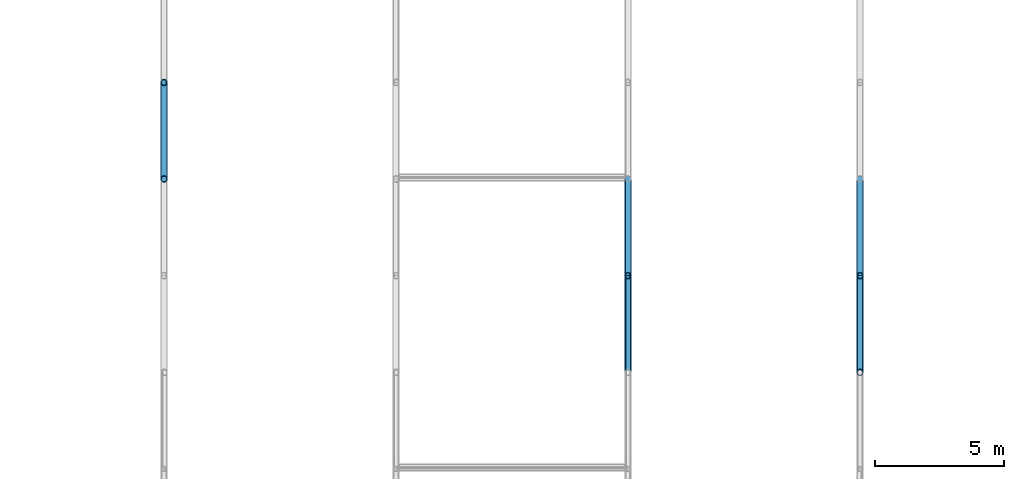
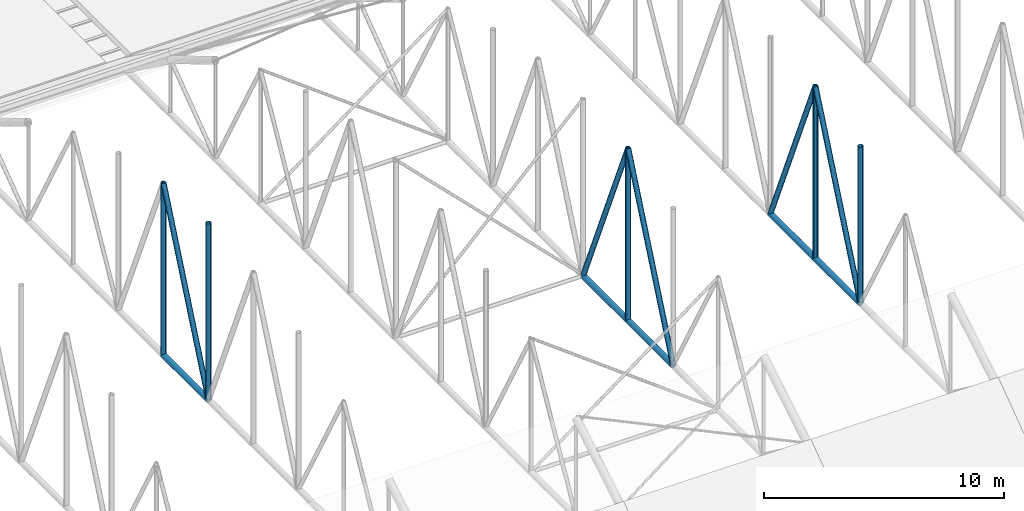
# One storey, part 54 of 153: 15 members.
"""IFC4 building model written with IfcOpenShell, lengths in metres."""

from ifc_helpers import new_model, si_unit, direction, frame, origin, origin_2d, place, context, subcontext, project, spatial, hollow_circle, extrude, material, material_profile, profile_set, type_object, element, save


model = new_model("IFC4")

# Units and contexts
model_context = context("Model", 3, precision=1e-05, world=origin(), true_north=direction((0.0, 1.0)))
body_context = subcontext(model_context, "Body", "Model", "MODEL_VIEW")
ifc_project = project(units=[si_unit("LENGTHUNIT", "METRE"), si_unit("AREAUNIT", "SQUARE_METRE"), si_unit("VOLUMEUNIT", "CUBIC_METRE"), si_unit("PLANEANGLEUNIT", "RADIAN"), si_unit("MASSUNIT", "GRAM", prefix="KILO")], contexts=[model_context])

# Site, building, storey
site_placement = place(None, origin())
site = spatial("IfcSite", under=ifc_project, at=site_placement, CompositionType="ELEMENT")
building_placement = place(site_placement, origin())
building = spatial("IfcBuilding", under=site, at=building_placement, Name="Baradari Gate Terminus", CompositionType="ELEMENT")
storey_placement = place(building_placement, frame((0.0, 0.0, 11.699951171875)))
storey = spatial("IfcBuildingStorey", under=building, at=storey_placement, Name="L02", CompositionType="ELEMENT", Elevation=11.699951171875)

# Members
ifc_material_1 = material(Name="Steel S355", Category="steel")
ifc_material_profile_1 = material_profile(ifc_material_1, hollow_circle(Radius=0.136474609375, WallThickness=0.012451171875, at=origin_2d()), Name="CHS 273x12.5")
ifc_profile_set_1 = profile_set([ifc_material_profile_1], Name="Steel S355")
member_type_1 = type_object("IfcMemberType", Name="Shed bottom chord CHS 273x12.5", PredefinedType="CHORD", material=ifc_profile_set_1)
for number, where, z_axis, x_axis, name in (
    (1, (171.0, 58.5, 0.136474609375), (0.0, 1.0, 0.0), (-1.0, 0.0, 0.0), "TR/L02/S171-BC06"),
    (2, (189.0, 51.0, 0.136474609375), (0.0, 1.0, 0.0), (-1.0, 0.0, 0.0), "TR/L02/S189-BC04"),
    (3, (189.0, 54.75, 0.136474609375), (0.0, 1.0, 0.0), (-1.0, 0.0, 0.0), "TR/L02/S189-BC05"),
    (4, (198.0, 51.0, 0.136474609375), (0.0, 1.0, 0.0), (-1.0, 0.0, 0.0), "TR/L02/S198-BC04"),
    (5, (198.0, 54.75, 0.136474609375), (0.0, 1.0, 0.0), (-1.0, 0.0, 0.0), "TR/L02/S198-BC05"),
):
    element("IfcMember", number, at=place(storey_placement, frame(where, z_axis=z_axis, x_axis=x_axis)), inside=storey, type_object=member_type_1, Name=name, PredefinedType="CHORD", context=body_context, shape_type="SweptSolid", body=[
        extrude(hollow_circle(Radius=0.136474609375, WallThickness=0.012451171875, at=origin_2d()), origin(), (0.0, 0.0, 1.0), 3.75),
    ])
ifc_material_2 = material(Name="Steel S355", Category="steel")
ifc_material_profile_2 = material_profile(ifc_material_2, hollow_circle(Radius=0.122314453125, WallThickness=0.010009765625, at=origin_2d()), Name="CHS 244.5x10")
ifc_profile_set_2 = profile_set([ifc_material_profile_2], Name="Steel S355")
member_type_2 = type_object("IfcMemberType", Name="Shed truss diagonal CHS 244.5x10", PredefinedType="BRACE", material=ifc_profile_set_2)
for number, where, z_axis, x_axis, name in (
    (6, (171.0, 62.25, 8.886474609375), (0.0, -0.393919298579, -0.919145030018), (1.0, 0.0, 0.0), "TR/L02/S171-SD06"),
    (7, (189.0, 54.75, 8.886474609375), (0.0, -0.393919298579, -0.919145030018), (1.0, 0.0, 0.0), "TR/L02/S189-SD04"),
    (8, (189.0, 54.75, 8.886474609375), (0.0, 0.393919298579, -0.919145030018), (-1.0, 0.0, 0.0), "TR/L02/S189-SD05"),
    (9, (198.0, 54.75, 8.886474609375), (0.0, -0.393919298579, -0.919145030018), (1.0, 0.0, 0.0), "TR/L02/S198-SD04"),
    (10, (198.0, 54.75, 8.886474609375), (0.0, 0.393919298579, -0.919145030018), (-1.0, 0.0, 0.0), "TR/L02/S198-SD05"),
):
    element("IfcMember", number, at=place(storey_placement, frame(where, z_axis=z_axis, x_axis=x_axis)), inside=storey, type_object=member_type_2, Name=name, PredefinedType="BRACE", context=body_context, shape_type="SweptSolid", body=[
        extrude(hollow_circle(Radius=0.122314453125, WallThickness=0.010009765625, at=origin_2d()), origin(), (0.0, 0.0, 1.0), 9.519775390625),
    ])
ifc_material_3 = material(Name="Steel S355", Category="steel")
ifc_material_profile_3 = material_profile(ifc_material_3, hollow_circle(Radius=0.122314453125, WallThickness=0.010009765625, at=origin_2d()), Name="CHS 244.5x10")
ifc_profile_set_3 = profile_set([ifc_material_profile_3], Name="Steel S355")
member_type_3 = type_object("IfcMemberType", Name="Shed truss post CHS 244.5x10", PredefinedType="POST", material=ifc_profile_set_3)
member_1_placement = place(storey_placement, frame((171.0, 58.5, 0.136474609375), z_axis=(0.0, 0.0, 1.0), x_axis=(1.0, 0.0, 0.0)))
element("IfcMember", 11, at=member_1_placement, inside=storey, type_object=member_type_3, Name="TR/L02/S171-SP06", PredefinedType="POST", context=body_context, shape_type="SweptSolid", body=[
    extrude(hollow_circle(Radius=0.122314453125, WallThickness=0.010009765625, at=origin_2d()), origin(), (0.0, 0.0, 1.0), 9.0),
])
for number, where, z_axis, x_axis, name in (
    (12, (171.0, 62.25, 0.136474609375), (0.0, 0.0, 1.0), (1.0, 0.0, 0.0), "TR/L02/S171-SP07"),
    (13, (189.0, 54.75, 0.136474609375), (0.0, 0.0, 1.0), (1.0, 0.0, 0.0), "TR/L02/S189-SP05"),
):
    element("IfcMember", number, at=place(storey_placement, frame(where, z_axis=z_axis, x_axis=x_axis)), inside=storey, type_object=member_type_3, Name=name, PredefinedType="POST", context=body_context, shape_type="SweptSolid", body=[
        extrude(hollow_circle(Radius=0.122314453125, WallThickness=0.010009765625, at=origin_2d()), origin(), (0.0, 0.0, 1.0), 8.75),
    ])
member_2_placement = place(storey_placement, frame((198.0, 51.0, 0.136474609375), z_axis=(0.0, 0.0, 1.0), x_axis=(1.0, 0.0, 0.0)))
element("IfcMember", 14, at=member_2_placement, inside=storey, type_object=member_type_3, Name="TR/L02/S198-SP04", PredefinedType="POST", context=body_context, shape_type="SweptSolid", body=[
    extrude(hollow_circle(Radius=0.122314453125, WallThickness=0.010009765625, at=origin_2d()), origin(), (0.0, 0.0, 1.0), 8.0),
])
member_3_placement = place(storey_placement, frame((198.0, 54.75, 0.136474609375), z_axis=(0.0, 0.0, 1.0), x_axis=(1.0, 0.0, 0.0)))
element("IfcMember", 15, at=member_3_placement, inside=storey, type_object=member_type_3, Name="TR/L02/S198-SP05", PredefinedType="POST", context=body_context, shape_type="SweptSolid", body=[
    extrude(hollow_circle(Radius=0.122314453125, WallThickness=0.010009765625, at=origin_2d()), origin(), (0.0, 0.0, 1.0), 8.75),
])

save(model, "model.ifc")
